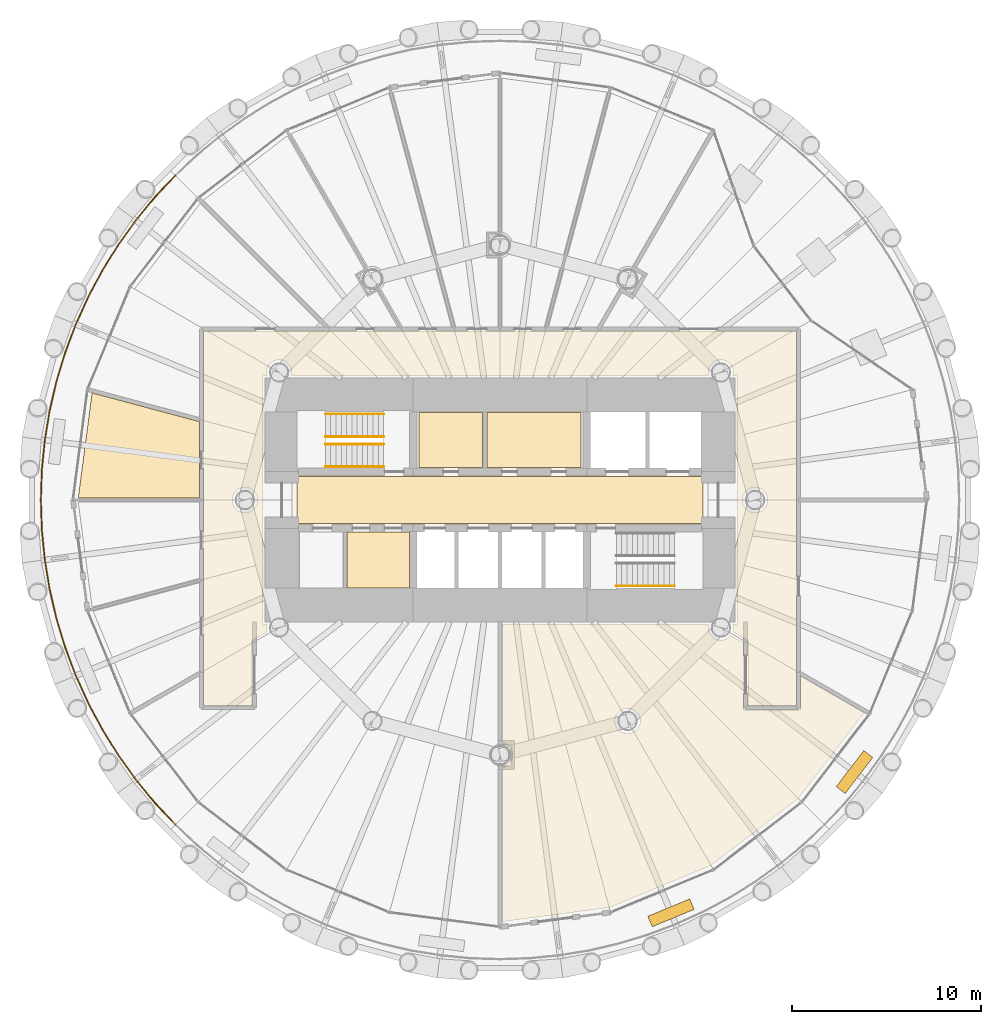
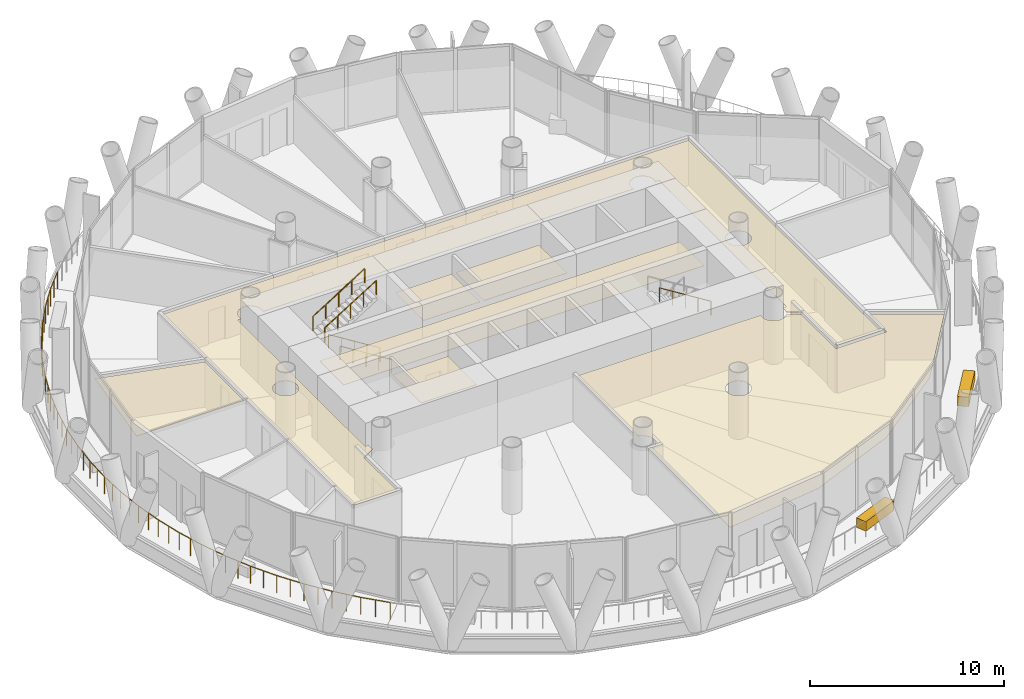
# One storey, part 14 of 16: 9 coverings, 6 railings.
"""IFC4 building model written with IfcOpenShell, lengths in metres."""

from ifc_helpers import new_model, si_unit, direction, frame, origin, origin_2d, place, context, subcontext, project, spatial, polyline, rectangle, circle, outline, extrude, material, layer, layer_set, type_object, element, save


model = new_model("IFC4")

# Units and contexts
model_context = context("Model", 3, precision=1e-05, world=origin(), true_north=direction((0.0, 1.0)))
body_context = subcontext(model_context, "Body", "Model", "MODEL_VIEW")
ifc_project = project(units=[si_unit("LENGTHUNIT", "METRE"), si_unit("AREAUNIT", "SQUARE_METRE"), si_unit("VOLUMEUNIT", "CUBIC_METRE"), si_unit("PLANEANGLEUNIT", "RADIAN"), si_unit("MASSUNIT", "GRAM", prefix="KILO")], contexts=[model_context])

# Site, building, storey
site_placement = place(None, origin())
site = spatial("IfcSite", under=ifc_project, at=site_placement, CompositionType="ELEMENT")
building_placement = place(site_placement, origin())
building = spatial("IfcBuilding", under=site, at=building_placement, Name="Qaws Media Tower", CompositionType="ELEMENT")
storey_placement = place(building_placement, frame((0.0, 0.0, 135.199951171875)))
storey = spatial("IfcBuildingStorey", under=building, at=storey_placement, Name="L30", CompositionType="ELEMENT", Elevation=135.199951171875)

# Railing
ifc_material_1 = material(Name="Stainless steel and glass guard", Category="steel")
railing_type_1 = type_object("IfcRailingType", Name="Balcony guard 1100", PredefinedType="GUARDRAIL", material=ifc_material_1)
railing_1_placement = place(storey_placement, frame((42.8173828125, 67.1826171875, 0.0)))
element("IfcRailing", 1, at=railing_1_placement, inside=storey, type_object=railing_type_1, Name="GR1 balcony guard L30-2", PredefinedType="GUARDRAIL", context=body_context, shape_type="SweptSolid", body=[
    extrude(circle(Radius=0.02392578125, at=origin_2d()), frame((0.0, 0.0, 1.076171875), z_axis=(-0.683701050367, -0.729762203547, 0.0), x_axis=(0.729762203547, -0.683701050367, 0.0)), (0.0, 0.0, 1.0), 1.590087890625),
    extrude(circle(Radius=0.02392578125, at=origin_2d()), frame((-1.087158203125, -1.160400390625, 1.076171875), z_axis=(-0.634382485148, -0.77301931576, 0.0), x_axis=(0.77301931576, -0.634382485148, 0.0)), (0.0, 0.0, 1.0), 1.590087890625),
    extrude(circle(Radius=0.02392578125, at=origin_2d()), frame((-2.095947265625, -2.3896484375, 1.076171875), z_axis=(-0.582442870708, -0.812871639536, 0.0), x_axis=(0.812871639536, -0.582442870708, 0.0)), (0.0, 0.0, 1.0), 1.59033203125),
    extrude(circle(Radius=0.02392578125, at=origin_2d()), frame((-3.022216796875, -3.682373046875, 1.076171875), z_axis=(-0.528023912354, -0.849229502539, 0.0), x_axis=(0.849229502539, -0.528023912354, 0.0)), (0.0, 0.0, 1.0), 1.590087890625),
    extrude(circle(Radius=0.02392578125, at=origin_2d()), frame((-3.86181640625, -5.03271484375, 1.076171875), z_axis=(-0.471369035011, -0.881936070718, 0.0), x_axis=(0.881936070718, -0.471369035011, 0.0)), (0.0, 0.0, 1.0), 1.590087890625),
    extrude(circle(Radius=0.02392578125, at=origin_2d()), frame((-4.611328125, -6.43505859375, 1.076171875), z_axis=(-0.412738339097, -0.910849638216, 0.0), x_axis=(0.910849638216, -0.412738339097, 0.0)), (0.0, 0.0, 1.0), 1.590087890625),
    extrude(circle(Radius=0.02392578125, at=origin_2d()), frame((-5.267578125, -7.88330078125, 1.076171875), z_axis=(-0.352334504623, -0.935874135155, 0.0), x_axis=(0.935874135155, -0.352334504623, 0.0)), (0.0, 0.0, 1.0), 1.59033203125),
    extrude(circle(Radius=0.02392578125, at=origin_2d()), frame((-5.827880859375, -9.37158203125, 1.076171875), z_axis=(-0.290177839706, -0.956972738036, 0.0), x_axis=(0.956972738036, -0.290177839706, 0.0)), (0.0, 0.0, 1.0), 1.590087890625),
    extrude(circle(Radius=0.02392578125, at=origin_2d()), frame((-6.289306640625, -10.893310546875, 1.076171875), z_axis=(-0.227079151243, -0.973876305837, 0.0), x_axis=(0.973876305837, -0.227079151243, 0.0)), (0.0, 0.0, 1.0), 1.590087890625),
    extrude(circle(Radius=0.02392578125, at=origin_2d()), frame((-6.650390625, -12.44189453125, 1.076171875), z_axis=(-0.162904905547, -0.986641774784, 0.0), x_axis=(0.986641774784, -0.162904905547, 0.0)), (0.0, 0.0, 1.0), 1.590087890625),
    extrude(circle(Radius=0.02392578125, at=origin_2d()), frame((-6.909423828125, -14.0107421875, 1.076171875), z_axis=(-0.098105137251, -0.995176055804, 0.0), x_axis=(0.995176055804, -0.098105137251, 0.0)), (0.0, 0.0, 1.0), 1.590087890625),
    extrude(circle(Radius=0.02392578125, at=origin_2d()), frame((-7.0654296875, -15.59326171875, 1.076171875), z_axis=(-0.032701394844, -0.999465166364, 0.0), x_axis=(0.999465166364, -0.032701394844, 0.0)), (0.0, 0.0, 1.0), 1.590087890625),
    extrude(circle(Radius=0.02392578125, at=origin_2d()), frame((-7.117431640625, -17.1826171875, 1.076171875), z_axis=(0.032701394844, -0.999465166364, 0.0), x_axis=(0.999465166364, 0.032701394844, 0.0)), (0.0, 0.0, 1.0), 1.590087890625),
    extrude(circle(Radius=0.02392578125, at=origin_2d()), frame((-7.0654296875, -18.77197265625, 1.076171875), z_axis=(0.098105137251, -0.995176055804, 0.0), x_axis=(0.995176055804, 0.098105137251, 0.0)), (0.0, 0.0, 1.0), 1.590087890625),
    extrude(circle(Radius=0.02392578125, at=origin_2d()), frame((-6.909423828125, -20.3544921875, 1.076171875), z_axis=(0.162904905547, -0.986641774784, 0.0), x_axis=(0.986641774784, 0.162904905547, 0.0)), (0.0, 0.0, 1.0), 1.590087890625),
    extrude(circle(Radius=0.02392578125, at=origin_2d()), frame((-6.650390625, -21.92333984375, 1.076171875), z_axis=(0.227079151243, -0.973876305837, 0.0), x_axis=(0.973876305837, 0.227079151243, 0.0)), (0.0, 0.0, 1.0), 1.590087890625),
    extrude(circle(Radius=0.02392578125, at=origin_2d()), frame((-6.289306640625, -23.471923828125, 1.076171875), z_axis=(0.290177839706, -0.956972738036, 0.0), x_axis=(0.956972738036, 0.290177839706, 0.0)), (0.0, 0.0, 1.0), 1.590087890625),
    extrude(circle(Radius=0.02392578125, at=origin_2d()), frame((-5.827880859375, -24.99365234375, 1.076171875), z_axis=(0.352334504623, -0.935874135155, 0.0), x_axis=(0.935874135155, 0.352334504623, 0.0)), (0.0, 0.0, 1.0), 1.59033203125),
    extrude(circle(Radius=0.02392578125, at=origin_2d()), frame((-5.267578125, -26.48193359375, 1.076171875), z_axis=(0.412738339097, -0.910849638216, 0.0), x_axis=(0.910849638216, 0.412738339097, 0.0)), (0.0, 0.0, 1.0), 1.590087890625),
    extrude(circle(Radius=0.02392578125, at=origin_2d()), frame((-4.611328125, -27.93017578125, 1.076171875), z_axis=(0.471369035011, -0.881936070718, 0.0), x_axis=(0.881936070718, 0.471369035011, 0.0)), (0.0, 0.0, 1.0), 1.590087890625),
    extrude(circle(Radius=0.02392578125, at=origin_2d()), frame((-3.86181640625, -29.33251953125, 1.076171875), z_axis=(0.528023912354, -0.849229502539, 0.0), x_axis=(0.849229502539, 0.528023912354, 0.0)), (0.0, 0.0, 1.0), 1.590087890625),
    extrude(circle(Radius=0.02392578125, at=origin_2d()), frame((-3.022216796875, -30.682861328125, 1.076171875), z_axis=(0.582442870708, -0.812871639536, 0.0), x_axis=(0.812871639536, 0.582442870708, 0.0)), (0.0, 0.0, 1.0), 1.59033203125),
    extrude(circle(Radius=0.02392578125, at=origin_2d()), frame((-2.095947265625, -31.9755859375, 1.076171875), z_axis=(0.634382485148, -0.77301931576, 0.0), x_axis=(0.77301931576, 0.634382485148, 0.0)), (0.0, 0.0, 1.0), 1.590087890625),
    extrude(circle(Radius=0.02392578125, at=origin_2d()), frame((-1.087158203125, -33.204833984375, 1.076171875), z_axis=(0.683701050367, -0.729762203547, 0.0), x_axis=(0.729762203547, 0.683701050367, 0.0)), (0.0, 0.0, 1.0), 1.590087890625),
    extrude(circle(Radius=0.02099609375, at=origin_2d()), origin(), (0.0, 0.0, 1.0), 1.052001953125),
    extrude(circle(Radius=0.02099609375, at=origin_2d()), frame((-0.54345703125, -0.580078125, 0.0)), (0.0, 0.0, 1.0), 1.052001953125),
    extrude(circle(Radius=0.02099609375, at=origin_2d()), frame((-1.087158203125, -1.160400390625, 0.0)), (0.0, 0.0, 1.0), 1.052001953125),
    extrude(circle(Radius=0.02099609375, at=origin_2d()), frame((-1.591552734375, -1.77490234375, 0.0)), (0.0, 0.0, 1.0), 1.052001953125),
    extrude(circle(Radius=0.02099609375, at=origin_2d()), frame((-2.095947265625, -2.3896484375, 0.0)), (0.0, 0.0, 1.0), 1.052001953125),
    extrude(circle(Radius=0.02099609375, at=origin_2d()), frame((-2.55908203125, -3.0361328125, 0.0)), (0.0, 0.0, 1.0), 1.052001953125),
    extrude(circle(Radius=0.02099609375, at=origin_2d()), frame((-3.022216796875, -3.682373046875, 0.0)), (0.0, 0.0, 1.0), 1.052001953125),
    extrude(circle(Radius=0.02099609375, at=origin_2d()), frame((-3.44189453125, -4.357421875, 0.0)), (0.0, 0.0, 1.0), 1.052001953125),
    extrude(circle(Radius=0.02099609375, at=origin_2d()), frame((-3.86181640625, -5.03271484375, 0.0)), (0.0, 0.0, 1.0), 1.052001953125),
    extrude(circle(Radius=0.02099609375, at=origin_2d()), frame((-4.236572265625, -5.73388671875, 0.0)), (0.0, 0.0, 1.0), 1.052001953125),
    extrude(circle(Radius=0.02099609375, at=origin_2d()), frame((-4.611328125, -6.43505859375, 0.0)), (0.0, 0.0, 1.0), 1.052001953125),
    extrude(circle(Radius=0.02099609375, at=origin_2d()), frame((-4.939453125, -7.1591796875, 0.0)), (0.0, 0.0, 1.0), 1.052001953125),
    extrude(circle(Radius=0.02099609375, at=origin_2d()), frame((-5.267578125, -7.88330078125, 0.0)), (0.0, 0.0, 1.0), 1.052001953125),
    extrude(circle(Radius=0.02099609375, at=origin_2d()), frame((-5.5478515625, -8.62744140625, 0.0)), (0.0, 0.0, 1.0), 1.052001953125),
    extrude(circle(Radius=0.02099609375, at=origin_2d()), frame((-5.827880859375, -9.37158203125, 0.0)), (0.0, 0.0, 1.0), 1.052001953125),
    extrude(circle(Radius=0.02099609375, at=origin_2d()), frame((-6.05859375, -10.13232421875, 0.0)), (0.0, 0.0, 1.0), 1.052001953125),
    extrude(circle(Radius=0.02099609375, at=origin_2d()), frame((-6.289306640625, -10.893310546875, 0.0)), (0.0, 0.0, 1.0), 1.052001953125),
    extrude(circle(Radius=0.02099609375, at=origin_2d()), frame((-6.4697265625, -11.66748046875, 0.0)), (0.0, 0.0, 1.0), 1.052001953125),
    extrude(circle(Radius=0.02099609375, at=origin_2d()), frame((-6.650390625, -12.44189453125, 0.0)), (0.0, 0.0, 1.0), 1.052001953125),
    extrude(circle(Radius=0.02099609375, at=origin_2d()), frame((-6.77978515625, -13.226318359375, 0.0)), (0.0, 0.0, 1.0), 1.052001953125),
    extrude(circle(Radius=0.02099609375, at=origin_2d()), frame((-6.909423828125, -14.0107421875, 0.0)), (0.0, 0.0, 1.0), 1.052001953125),
    extrude(circle(Radius=0.02099609375, at=origin_2d()), frame((-6.9873046875, -14.802001953125, 0.0)), (0.0, 0.0, 1.0), 1.052001953125),
    extrude(circle(Radius=0.02099609375, at=origin_2d()), frame((-7.0654296875, -15.59326171875, 0.0)), (0.0, 0.0, 1.0), 1.052001953125),
    extrude(circle(Radius=0.02099609375, at=origin_2d()), frame((-7.09130859375, -16.387939453125, 0.0)), (0.0, 0.0, 1.0), 1.052001953125),
    extrude(circle(Radius=0.02099609375, at=origin_2d()), frame((-7.117431640625, -17.1826171875, 0.0)), (0.0, 0.0, 1.0), 1.052001953125),
    extrude(circle(Radius=0.02099609375, at=origin_2d()), frame((-7.09130859375, -17.977294921875, 0.0)), (0.0, 0.0, 1.0), 1.052001953125),
    extrude(circle(Radius=0.02099609375, at=origin_2d()), frame((-7.0654296875, -18.77197265625, 0.0)), (0.0, 0.0, 1.0), 1.052001953125),
    extrude(circle(Radius=0.02099609375, at=origin_2d()), frame((-6.9873046875, -19.563232421875, 0.0)), (0.0, 0.0, 1.0), 1.052001953125),
    extrude(circle(Radius=0.02099609375, at=origin_2d()), frame((-6.909423828125, -20.3544921875, 0.0)), (0.0, 0.0, 1.0), 1.052001953125),
    extrude(circle(Radius=0.02099609375, at=origin_2d()), frame((-6.77978515625, -21.138916015625, 0.0)), (0.0, 0.0, 1.0), 1.052001953125),
    extrude(circle(Radius=0.02099609375, at=origin_2d()), frame((-6.650390625, -21.92333984375, 0.0)), (0.0, 0.0, 1.0), 1.052001953125),
    extrude(circle(Radius=0.02099609375, at=origin_2d()), frame((-6.4697265625, -22.69775390625, 0.0)), (0.0, 0.0, 1.0), 1.052001953125),
    extrude(circle(Radius=0.02099609375, at=origin_2d()), frame((-6.289306640625, -23.471923828125, 0.0)), (0.0, 0.0, 1.0), 1.052001953125),
    extrude(circle(Radius=0.02099609375, at=origin_2d()), frame((-6.05859375, -24.23291015625, 0.0)), (0.0, 0.0, 1.0), 1.052001953125),
    extrude(circle(Radius=0.02099609375, at=origin_2d()), frame((-5.827880859375, -24.99365234375, 0.0)), (0.0, 0.0, 1.0), 1.052001953125),
    extrude(circle(Radius=0.02099609375, at=origin_2d()), frame((-5.5478515625, -25.73779296875, 0.0)), (0.0, 0.0, 1.0), 1.052001953125),
    extrude(circle(Radius=0.02099609375, at=origin_2d()), frame((-5.267578125, -26.48193359375, 0.0)), (0.0, 0.0, 1.0), 1.052001953125),
    extrude(circle(Radius=0.02099609375, at=origin_2d()), frame((-4.939453125, -27.2060546875, 0.0)), (0.0, 0.0, 1.0), 1.052001953125),
    extrude(circle(Radius=0.02099609375, at=origin_2d()), frame((-4.611328125, -27.93017578125, 0.0)), (0.0, 0.0, 1.0), 1.052001953125),
    extrude(circle(Radius=0.02099609375, at=origin_2d()), frame((-4.236572265625, -28.63134765625, 0.0)), (0.0, 0.0, 1.0), 1.052001953125),
    extrude(circle(Radius=0.02099609375, at=origin_2d()), frame((-3.86181640625, -29.33251953125, 0.0)), (0.0, 0.0, 1.0), 1.052001953125),
    extrude(circle(Radius=0.02099609375, at=origin_2d()), frame((-3.44189453125, -30.0078125, 0.0)), (0.0, 0.0, 1.0), 1.052001953125),
    extrude(circle(Radius=0.02099609375, at=origin_2d()), frame((-3.022216796875, -30.682861328125, 0.0)), (0.0, 0.0, 1.0), 1.052001953125),
    extrude(circle(Radius=0.02099609375, at=origin_2d()), frame((-2.55908203125, -31.3291015625, 0.0)), (0.0, 0.0, 1.0), 1.052001953125),
    extrude(circle(Radius=0.02099609375, at=origin_2d()), frame((-2.095947265625, -31.9755859375, 0.0)), (0.0, 0.0, 1.0), 1.052001953125),
    extrude(circle(Radius=0.02099609375, at=origin_2d()), frame((-1.591552734375, -32.59033203125, 0.0)), (0.0, 0.0, 1.0), 1.052001953125),
    extrude(circle(Radius=0.02099609375, at=origin_2d()), frame((-1.087158203125, -33.204833984375, 0.0)), (0.0, 0.0, 1.0), 1.052001953125),
    extrude(circle(Radius=0.02099609375, at=origin_2d()), frame((-0.54345703125, -33.78515625, 0.0)), (0.0, 0.0, 1.0), 1.052001953125),
    extrude(circle(Radius=0.02099609375, at=origin_2d()), frame((0.0, -34.365234375, 0.0)), (0.0, 0.0, 1.0), 1.052001953125),
])

# Coverings
ifc_material_2 = material(Name="600 x 600 mineral fibre tiles in exposed grid, suspended", Category="mineral fibre")
ifc_layer_1 = layer(ifc_material_2, 0.02001953125)
ifc_layer_set_1 = layer_set([ifc_layer_1], Name="Mineral fibre tile ceiling 20")
covering_type_1 = type_object("IfcCoveringType", Name="Mineral fibre tile ceiling 20", PredefinedType="CEILING", material=ifc_layer_set_1)
covering_1_placement = place(storey_placement, frame((0.0, 0.0, 2.85009765625)))
element("IfcCovering", 2, at=covering_1_placement, inside=storey, type_object=covering_type_1, Name="CL1 ceiling L30-C07 Ladies toilets", PredefinedType="CEILING", context=body_context, shape_type="SweptSolid", body=[
    extrude(outline(polyline([(55.719970703125, 51.719970703125), (55.719970703125, 54.6298828125), (59.080078125, 54.6298828125), (59.080078125, 51.719970703125), (55.719970703125, 51.719970703125)])), origin(), (0.0, 0.0, 1.0), 0.02001953125),
])
covering_2_placement = place(storey_placement, frame((0.0, 0.0, 2.85009765625)))
element("IfcCovering", 3, at=covering_2_placement, inside=storey, type_object=covering_type_1, Name="CL1 ceiling L30-C08 Gents toilets", PredefinedType="CEILING", context=body_context, shape_type="SweptSolid", body=[
    extrude(outline(polyline([(59.320068359375, 51.719970703125), (59.320068359375, 54.6298828125), (64.280029296875, 54.6298828125), (64.280029296875, 51.719970703125), (59.320068359375, 51.719970703125)])), origin(), (0.0, 0.0, 1.0), 0.02001953125),
])
covering_3_placement = place(storey_placement, frame((0.0, 0.0, 2.85009765625)))
element("IfcCovering", 4, at=covering_3_placement, inside=storey, type_object=covering_type_1, Name="CL1 ceiling L30-01 Corridor", PredefinedType="CEILING", context=body_context, shape_type="SweptSolid", body=[
    extrude(outline(polyline([(44.3125, 39.112548828125), (44.3125, 58.9375), (75.6875, 58.9375), (75.6875, 39.112548828125), (73.112548828125, 39.112548828125), (73.112548828125, 42.559326171875), (72.31689453125, 43.018798828125), (72.336669921875, 43.0771484375), (72.353515625, 43.162841796875), (72.359375, 43.25), (72.353515625, 43.337158203125), (72.336669921875, 43.4228515625), (72.33154296875, 43.4375), (72.5625, 43.4375), (72.5625, 56.5625), (72.33154296875, 56.5625), (72.336669921875, 56.5771484375), (72.353515625, 56.662841796875), (72.359375, 56.75), (72.353515625, 56.837158203125), (72.336669921875, 56.9228515625), (72.30859375, 57.005615234375), (72.269775390625, 57.083984375), (72.22119140625, 57.15673828125), (72.163818359375, 57.222412109375), (72.097900390625, 57.280029296875), (72.025390625, 57.32861328125), (71.947021484375, 57.3671875), (71.8642578125, 57.395263671875), (71.778564453125, 57.412353515625), (71.69140625, 57.41796875), (71.604248046875, 57.412353515625), (71.5185546875, 57.395263671875), (71.435791015625, 57.3671875), (71.357421875, 57.32861328125), (71.28466796875, 57.280029296875), (71.218994140625, 57.222412109375), (71.161376953125, 57.15673828125), (71.11279296875, 57.083984375), (71.07421875, 57.005615234375), (71.046142578125, 56.9228515625), (71.029052734375, 56.837158203125), (71.023193359375, 56.75), (71.029052734375, 56.662841796875), (71.046142578125, 56.5771484375), (71.051025390625, 56.5625), (48.948974609375, 56.5625), (48.953857421875, 56.5771484375), (48.970947265625, 56.662841796875), (48.976806640625, 56.75), (48.970947265625, 56.837158203125), (48.953857421875, 56.9228515625), (48.92578125, 57.005615234375), (48.88720703125, 57.083984375), (48.838623046875, 57.15673828125), (48.781005859375, 57.222412109375), (48.71533203125, 57.280029296875), (48.642578125, 57.32861328125), (48.564208984375, 57.3671875), (48.4814453125, 57.395263671875), (48.395751953125, 57.412353515625), (48.30859375, 57.41796875), (48.221435546875, 57.412353515625), (48.1357421875, 57.395263671875), (48.052978515625, 57.3671875), (47.974609375, 57.32861328125), (47.902099609375, 57.280029296875), (47.836181640625, 57.222412109375), (47.77880859375, 57.15673828125), (47.730224609375, 57.083984375), (47.69140625, 57.005615234375), (47.663330078125, 56.9228515625), (47.646484375, 56.837158203125), (47.640625, 56.75), (47.646484375, 56.662841796875), (47.663330078125, 56.5771484375), (47.66845703125, 56.5625), (47.4375, 56.5625), (47.4375, 43.4375), (47.66845703125, 43.4375), (47.663330078125, 43.4228515625), (47.646484375, 43.337158203125), (47.640625, 43.25), (47.646484375, 43.162841796875), (47.663330078125, 43.0771484375), (47.68310546875, 43.018798828125), (46.887451171875, 42.559326171875), (46.887451171875, 39.112548828125), (44.3125, 39.112548828125)]), holes=[polyline([(47.1171875, 49.744384765625), (47.145263671875, 49.8271484375), (47.162353515625, 49.912841796875), (47.16796875, 50.0), (47.162353515625, 50.087158203125), (47.145263671875, 50.1728515625), (47.1171875, 50.255615234375), (47.07861328125, 50.333984375), (47.030029296875, 50.40673828125), (46.972412109375, 50.472412109375), (46.90673828125, 50.530029296875), (46.833984375, 50.57861328125), (46.755615234375, 50.6171875), (46.6728515625, 50.645263671875), (46.587158203125, 50.662353515625), (46.5, 50.66796875), (46.412841796875, 50.662353515625), (46.3271484375, 50.645263671875), (46.244384765625, 50.6171875), (46.166015625, 50.57861328125), (46.09326171875, 50.530029296875), (46.027587890625, 50.472412109375), (45.969970703125, 50.40673828125), (45.92138671875, 50.333984375), (45.8828125, 50.255615234375), (45.854736328125, 50.1728515625), (45.837646484375, 50.087158203125), (45.83203125, 50.0), (45.837646484375, 49.912841796875), (45.854736328125, 49.8271484375), (45.8828125, 49.744384765625), (45.92138671875, 49.666015625), (45.969970703125, 49.59326171875), (46.027587890625, 49.527587890625), (46.09326171875, 49.469970703125), (46.166015625, 49.42138671875), (46.244384765625, 49.3828125), (46.3271484375, 49.354736328125), (46.412841796875, 49.337646484375), (46.5, 49.33203125), (46.587158203125, 49.337646484375), (46.6728515625, 49.354736328125), (46.755615234375, 49.3828125), (46.833984375, 49.42138671875), (46.90673828125, 49.469970703125), (46.972412109375, 49.527587890625), (47.030029296875, 49.59326171875), (47.07861328125, 49.666015625), (47.1171875, 49.744384765625)]), polyline([(74.145263671875, 49.8271484375), (74.162353515625, 49.912841796875), (74.16796875, 50.0), (74.162353515625, 50.087158203125), (74.145263671875, 50.1728515625), (74.1171875, 50.255615234375), (74.07861328125, 50.333984375), (74.030029296875, 50.40673828125), (73.972412109375, 50.472412109375), (73.90673828125, 50.530029296875), (73.833984375, 50.57861328125), (73.755615234375, 50.6171875), (73.6728515625, 50.645263671875), (73.587158203125, 50.662353515625), (73.5, 50.66796875), (73.412841796875, 50.662353515625), (73.3271484375, 50.645263671875), (73.244384765625, 50.6171875), (73.166015625, 50.57861328125), (73.09326171875, 50.530029296875), (73.027587890625, 50.472412109375), (72.969970703125, 50.40673828125), (72.92138671875, 50.333984375), (72.8828125, 50.255615234375), (72.854736328125, 50.1728515625), (72.837646484375, 50.087158203125), (72.83203125, 50.0), (72.837646484375, 49.912841796875), (72.854736328125, 49.8271484375), (72.8828125, 49.744384765625), (72.92138671875, 49.666015625), (72.969970703125, 49.59326171875), (73.027587890625, 49.527587890625), (73.09326171875, 49.469970703125), (73.166015625, 49.42138671875), (73.244384765625, 49.3828125), (73.3271484375, 49.354736328125), (73.412841796875, 49.337646484375), (73.5, 49.33203125), (73.587158203125, 49.337646484375), (73.6728515625, 49.354736328125), (73.755615234375, 49.3828125), (73.833984375, 49.42138671875), (73.90673828125, 49.469970703125), (73.972412109375, 49.527587890625), (74.030029296875, 49.59326171875), (74.07861328125, 49.666015625), (74.1171875, 49.744384765625), (74.145263671875, 49.8271484375)])]), origin(), (0.0, 0.0, 1.0), 0.02001953125),
])
covering_4_placement = place(storey_placement, frame((0.0, 0.0, 2.85009765625)))
element("IfcCovering", 5, at=covering_4_placement, inside=storey, type_object=covering_type_1, Name="CL1 ceiling L30-09 Office", PredefinedType="CEILING", context=body_context, shape_type="SweptSolid", body=[
    extrude(outline(polyline([(38.410888671875, 55.668212890625), (44.08740234375, 54.147216796875), (44.08740234375, 50.112548828125), (37.6796875, 50.112548828125), (38.410888671875, 55.668212890625)])), origin(), (0.0, 0.0, 1.0), 0.02001953125),
])
covering_5_placement = place(storey_placement, frame((0.0, 0.0, 2.85009765625)))
element("IfcCovering", 6, at=covering_5_placement, inside=storey, type_object=covering_type_1, Name="CL1 ceiling L30-13 Paralegal office", PredefinedType="CEILING", context=body_context, shape_type="SweptSolid", body=[
    extrude(outline(polyline([(72.887451171875, 38.887451171875), (75.91259765625, 38.887451171875), (75.91259765625, 40.68310546875), (79.273681640625, 38.742431640625), (75.79345703125, 34.20654296875), (71.16748046875, 30.656982421875), (65.78076171875, 28.42578125), (60.112548828125, 27.6796875), (60.112548828125, 35.8427734375), (60.1728515625, 35.854736328125), (60.255615234375, 35.8828125), (60.333984375, 35.92138671875), (60.40673828125, 35.969970703125), (60.472412109375, 36.027587890625), (60.530029296875, 36.09326171875), (60.57861328125, 36.166015625), (60.6171875, 36.244384765625), (60.645263671875, 36.3271484375), (60.662353515625, 36.412841796875), (60.66796875, 36.5), (60.662353515625, 36.587158203125), (60.645263671875, 36.6728515625), (60.6171875, 36.755615234375), (60.57861328125, 36.833984375), (60.530029296875, 36.90673828125), (60.472412109375, 36.972412109375), (60.40673828125, 37.030029296875), (60.333984375, 37.07861328125), (60.255615234375, 37.1171875), (60.1728515625, 37.145263671875), (60.112548828125, 37.1572265625), (60.112548828125, 43.4375), (71.051025390625, 43.4375), (71.046142578125, 43.4228515625), (71.029052734375, 43.337158203125), (71.023193359375, 43.25), (71.029052734375, 43.162841796875), (71.046142578125, 43.0771484375), (71.07421875, 42.994384765625), (71.11279296875, 42.916015625), (71.161376953125, 42.84326171875), (71.218994140625, 42.777587890625), (71.28466796875, 42.719970703125), (71.357421875, 42.67138671875), (71.435791015625, 42.6328125), (71.5185546875, 42.604736328125), (71.604248046875, 42.587646484375), (71.69140625, 42.58203125), (71.778564453125, 42.587646484375), (71.8642578125, 42.604736328125), (71.947021484375, 42.6328125), (72.025390625, 42.67138671875), (72.097900390625, 42.719970703125), (72.163818359375, 42.777587890625), (72.204345703125, 42.823974609375), (72.887451171875, 42.429443359375), (72.887451171875, 38.887451171875)]), holes=[polyline([(67.3671875, 38.052978515625), (67.395263671875, 38.1357421875), (67.412353515625, 38.221435546875), (67.41796875, 38.30859375), (67.412353515625, 38.395751953125), (67.395263671875, 38.4814453125), (67.3671875, 38.564208984375), (67.32861328125, 38.642578125), (67.280029296875, 38.71533203125), (67.222412109375, 38.781005859375), (67.15673828125, 38.838623046875), (67.083984375, 38.88720703125), (67.005615234375, 38.92578125), (66.9228515625, 38.953857421875), (66.837158203125, 38.970947265625), (66.75, 38.976806640625), (66.662841796875, 38.970947265625), (66.5771484375, 38.953857421875), (66.494384765625, 38.92578125), (66.416015625, 38.88720703125), (66.34326171875, 38.838623046875), (66.277587890625, 38.781005859375), (66.219970703125, 38.71533203125), (66.17138671875, 38.642578125), (66.1328125, 38.564208984375), (66.104736328125, 38.4814453125), (66.087646484375, 38.395751953125), (66.08203125, 38.30859375), (66.087646484375, 38.221435546875), (66.104736328125, 38.1357421875), (66.1328125, 38.052978515625), (66.17138671875, 37.974609375), (66.219970703125, 37.902099609375), (66.277587890625, 37.836181640625), (66.34326171875, 37.77880859375), (66.416015625, 37.730224609375), (66.494384765625, 37.69140625), (66.5771484375, 37.663330078125), (66.662841796875, 37.646484375), (66.75, 37.640625), (66.837158203125, 37.646484375), (66.9228515625, 37.663330078125), (67.005615234375, 37.69140625), (67.083984375, 37.730224609375), (67.15673828125, 37.77880859375), (67.222412109375, 37.836181640625), (67.280029296875, 37.902099609375), (67.32861328125, 37.974609375), (67.3671875, 38.052978515625)])]), origin(), (0.0, 0.0, 1.0), 0.02001953125),
])
covering_6_placement = place(storey_placement, frame((0.0, 0.0, 2.85009765625)))
element("IfcCovering", 7, at=covering_6_placement, inside=storey, type_object=covering_type_1, Name="CL1 ceiling L30-C05 First aid room", PredefinedType="CEILING", context=body_context, shape_type="SweptSolid", body=[
    extrude(outline(polyline([(51.89990234375, 45.35009765625), (51.89990234375, 48.300048828125), (55.199951171875, 48.300048828125), (55.199951171875, 45.35009765625), (51.89990234375, 45.35009765625)])), origin(), (0.0, 0.0, 1.0), 0.02001953125),
])
ifc_material_3 = material(Name="Precast concrete planter with trailing planting", Category="concrete")
ifc_layer_2 = layer(ifc_material_3, 0.60009765625)
ifc_layer_set_2 = layer_set([ifc_layer_2], Name="Planter 2400x600")
covering_type_2 = type_object("IfcCoveringType", Name="Planter 2400x600", PredefinedType="USERDEFINED", material=ifc_layer_set_2)
for number, where, z_axis, x_axis, name in (
    (8, (69.050537109375, 28.150146484375, 0.0), (0.0, 0.0, 1.0), (0.923879532511, 0.382683432365, 0.0), "PL1 balcony planter L30-10"),
    (9, (78.7626953125, 35.602783203125, 0.0), (0.0, 0.0, 1.0), (0.608761429009, 0.793353340291, 0.0), "PL1 balcony planter L30-11"),
):
    element("IfcCovering", number, at=place(storey_placement, frame(where, z_axis=z_axis, x_axis=x_axis)), inside=storey, type_object=covering_type_2, Name=name, ObjectType="PLANTER", PredefinedType="USERDEFINED", context=body_context, shape_type="SweptSolid", body=[
        extrude(rectangle(XDim=2.39990234375, YDim=0.60009765625, at=origin_2d()), origin(), (0.0, 0.0, 1.0), 0.60009765625),
    ])
ifc_material_4 = material(Name="Two layers 12.5 moisture-resistant plasterboard on suspended metal furring", Category="gypsum")
ifc_layer_3 = layer(ifc_material_4, 0.02490234375)
ifc_layer_set_3 = layer_set([ifc_layer_3], Name="Plasterboard ceiling 25")
covering_type_3 = type_object("IfcCoveringType", Name="Plasterboard ceiling 25", PredefinedType="CEILING", material=ifc_layer_set_3)
covering_7_placement = place(storey_placement, frame((0.0, 0.0, 2.85009765625)))
element("IfcCovering", 10, at=covering_7_placement, inside=storey, type_object=covering_type_3, Name="CL2 ceiling L30-C01 Lift lobby", PredefinedType="CEILING", context=body_context, shape_type="SweptSolid", body=[
    extrude(outline(polyline([(49.25, 48.75), (49.25, 51.25), (70.75, 51.25), (70.75, 48.75), (49.25, 48.75)])), origin(), (0.0, 0.0, 1.0), 0.02490234375),
])

# Railings
ifc_material_5 = material(Name="Steel tube handrail", Category="steel")
railing_type_2 = type_object("IfcRailingType", Name="Stair handrail 900", PredefinedType="HANDRAIL", material=ifc_material_5)
for number, where, name in (
    (11, (53.840087890625, 51.75, 0.175048828125), "HR1 handrail S1 flight 1 L30"),
    (12, (53.840087890625, 52.9599609375, 0.175048828125), "HR1 handrail S1 flight 1 L30"),
):
    element("IfcRailing", number, at=place(storey_placement, frame(where)), inside=storey, type_object=railing_type_2, Name=name, PredefinedType="HANDRAIL", context=body_context, shape_type="SweptSolid", body=[
        extrude(circle(Radius=0.02392578125, at=origin_2d()), frame((0.0, 0.0, 0.8759765625), z_axis=(-0.847998304005, 0.0, 0.529998940003), x_axis=(0.0, -1.0, 0.0)), (0.0, 0.0, 1.0), 3.632080078125),
        extrude(circle(Radius=0.02099609375, at=origin_2d()), origin(), (0.0, 0.0, 1.0), 0.851806640625),
        extrude(circle(Radius=0.02099609375, at=origin_2d()), frame((-0.77001953125, 0.0, 0.481201171875)), (0.0, 0.0, 1.0), 0.851806640625),
        extrude(circle(Radius=0.02099609375, at=origin_2d()), frame((-1.5400390625, 0.0, 0.96240234375)), (0.0, 0.0, 1.0), 0.851806640625),
        extrude(circle(Radius=0.02099609375, at=origin_2d()), frame((-2.31005859375, 0.0, 1.44384765625)), (0.0, 0.0, 1.0), 0.851806640625),
        extrude(circle(Radius=0.02099609375, at=origin_2d()), frame((-3.080078125, 0.0, 1.925048828125)), (0.0, 0.0, 1.0), 0.851806640625),
    ])
for number, where, name in (
    (13, (50.760009765625, 54.550048828125, 2.275146484375), "HR1 handrail S1 flight 2 L30"),
    (14, (50.760009765625, 53.340087890625, 2.275146484375), "HR1 handrail S1 flight 2 L30"),
):
    element("IfcRailing", number, at=place(storey_placement, frame(where)), inside=storey, type_object=railing_type_2, Name=name, PredefinedType="HANDRAIL", context=body_context, shape_type="SweptSolid", body=[
        extrude(circle(Radius=0.02392578125, at=origin_2d()), frame((0.0, 0.0, 0.8759765625), z_axis=(0.848028513186, 0.0, 0.529950602248), x_axis=(0.0, 1.0, 0.0)), (0.0, 0.0, 1.0), 3.632080078125),
        extrude(circle(Radius=0.02099609375, at=origin_2d()), origin(), (0.0, 0.0, 1.0), 0.851806640625),
        extrude(circle(Radius=0.02099609375, at=origin_2d()), frame((0.77001953125, 0.0, 0.481201171875)), (0.0, 0.0, 1.0), 0.851806640625),
        extrude(circle(Radius=0.02099609375, at=origin_2d()), frame((1.5400390625, 0.0, 0.96240234375)), (0.0, 0.0, 1.0), 0.851806640625),
        extrude(circle(Radius=0.02099609375, at=origin_2d()), frame((2.31005859375, 0.0, 1.443603515625)), (0.0, 0.0, 1.0), 0.851806640625),
        extrude(circle(Radius=0.02099609375, at=origin_2d()), frame((3.080078125, 0.0, 1.9248046875)), (0.0, 0.0, 1.0), 0.851806640625),
    ])
railing_2_placement = place(storey_placement, frame((69.239990234375, 45.449951171875, 2.275146484375)))
element("IfcRailing", 15, at=railing_2_placement, inside=storey, type_object=railing_type_2, Name="HR1 handrail S2 flight 2 L30", PredefinedType="HANDRAIL", context=body_context, shape_type="SweptSolid", body=[
    extrude(circle(Radius=0.02392578125, at=origin_2d()), frame((0.0, 0.0, 0.8759765625), z_axis=(-0.848028513186, 0.0, 0.529950602248), x_axis=(0.0, -1.0, 0.0)), (0.0, 0.0, 1.0), 3.632080078125),
    extrude(circle(Radius=0.02099609375, at=origin_2d()), origin(), (0.0, 0.0, 1.0), 0.851806640625),
    extrude(circle(Radius=0.02099609375, at=origin_2d()), frame((-0.77001953125, 0.0, 0.481201171875)), (0.0, 0.0, 1.0), 0.851806640625),
    extrude(circle(Radius=0.02099609375, at=origin_2d()), frame((-1.5400390625, 0.0, 0.96240234375)), (0.0, 0.0, 1.0), 0.851806640625),
    extrude(circle(Radius=0.02099609375, at=origin_2d()), frame((-2.31005859375, 0.0, 1.443603515625)), (0.0, 0.0, 1.0), 0.851806640625),
    extrude(circle(Radius=0.02099609375, at=origin_2d()), frame((-3.080078125, 0.0, 1.9248046875)), (0.0, 0.0, 1.0), 0.851806640625),
])

save(model, "model.ifc")
